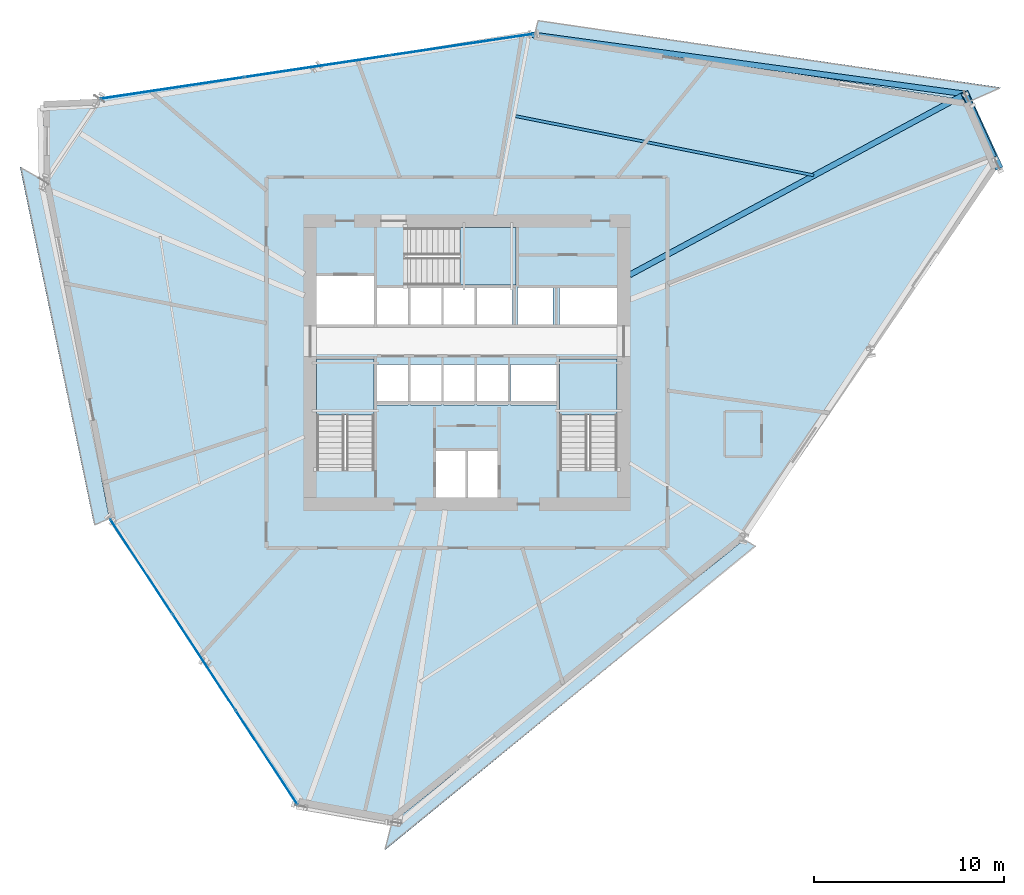
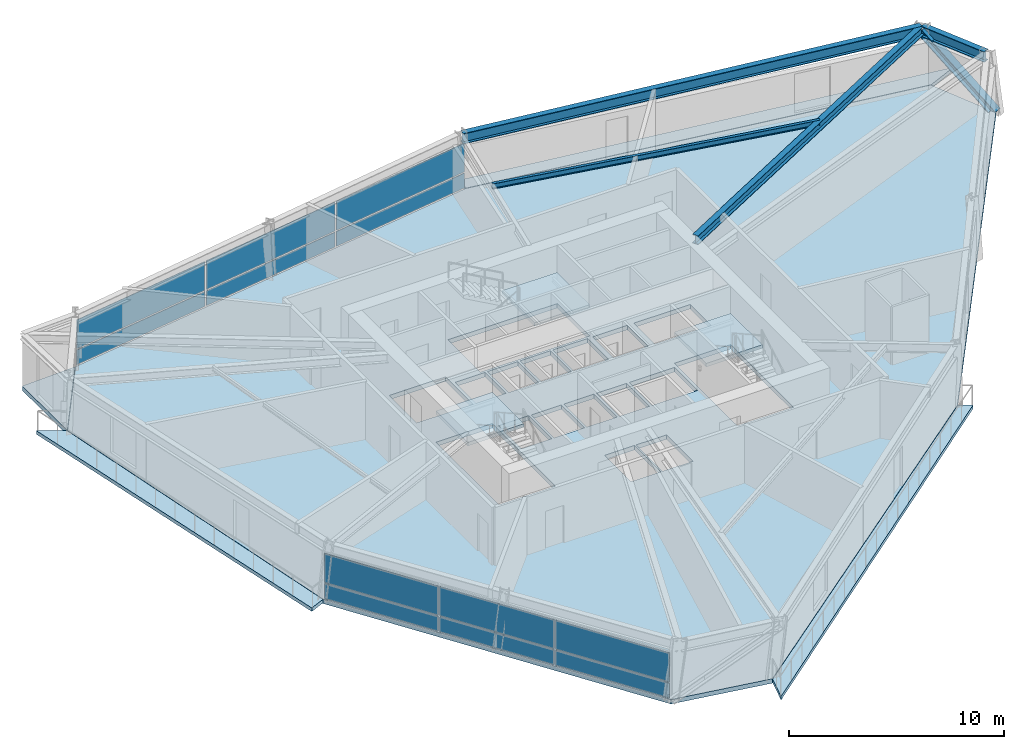
# One storey, part 6 of 14: 12 plates, 8 slabs, 4 beams, 1 member, 5 elements without a shape of their own.
"""IFC4 building model written with IfcOpenShell, lengths in metres."""

from ifc_helpers import new_model, si_unit, direction, frame, origin, origin_2d, place, context, subcontext, project, spatial, polyline, rectangle, i_section, outline, extrude, source, transform, mapped, material, layer, layer_set, material_profile, profile_set, type_object, element, aggregate, save


model = new_model("IFC4")

# Units and contexts
model_context = context("Model", 3, precision=1e-05, world=origin(), true_north=direction((0.0, 1.0)))
body_context = subcontext(model_context, "Body", "Model", "MODEL_VIEW")
ifc_project = project(units=[si_unit("LENGTHUNIT", "METRE"), si_unit("AREAUNIT", "SQUARE_METRE"), si_unit("VOLUMEUNIT", "CUBIC_METRE"), si_unit("PLANEANGLEUNIT", "RADIAN"), si_unit("MASSUNIT", "GRAM", prefix="KILO")], contexts=[model_context])

# Site, building, storey
site_placement = place(None, origin())
site = spatial("IfcSite", under=ifc_project, at=site_placement, CompositionType="ELEMENT")
building_placement = place(site_placement, origin())
building = spatial("IfcBuilding", under=site, at=building_placement, Name="Olszyna Solenne Hotel", CompositionType="ELEMENT")
storey_placement = place(building_placement, frame((0.0, 0.0, 130.550048828125)))
storey = spatial("IfcBuildingStorey", under=building, at=storey_placement, Name="L34", CompositionType="ELEMENT", Elevation=130.550048828125)

# Beams
ifc_material_1 = material(Name="Steel S355J2", Category="steel")
ifc_material_profile_1 = material_profile(ifc_material_1, i_section(OverallWidth=0.300048828125, OverallDepth=0.60009765625, WebThickness=0.015380859375, FlangeThickness=0.030029296875, at=origin_2d()), Name="HEB 600", Category="load-bearing")
ifc_profile_set_1 = profile_set([ifc_material_profile_1], Name="Steel S355J2")
beam_type_1 = type_object("IfcBeamType", Name="BM-S2", PredefinedType="BEAM", material=ifc_profile_set_1)
shared_shape_1 = source(origin(), body_context, "Body", "SweptSolid", [
    extrude(i_section(OverallWidth=0.300048828125, OverallDepth=0.60009765625, WebThickness=0.015380859375, FlangeThickness=0.030029296875, at=origin_2d()), origin(), (0.0, 0.0, 1.0), 3.59228515625),
])
beam_1_placement = place(storey_placement, frame((65.719482421875, 37.40673828125, 3.0), z_axis=(-0.413905354326, 0.9103199205, 0.0), x_axis=(-0.9103199205, -0.413905354326, 0.0)))
element("IfcBeam", 1, at=beam_1_placement, inside=storey, type_object=beam_type_1, Name="Perimeter spandrel beam BM-S2 B-L34-1016", PredefinedType="BEAM", context=body_context, shape_type="MappedRepresentation", body=[
    mapped(shared_shape_1, transform((0.0, 0.0, 0.0), x_axis=(1.0, 0.0, 0.0), y_axis=(0.0, 1.0, 0.0), z_axis=(0.0, 0.0, 1.0), scale=1.0)),
])
shared_shape_2 = source(origin(), body_context, "Body", "SweptSolid", [
    extrude(i_section(OverallWidth=0.300048828125, OverallDepth=0.60009765625, WebThickness=0.015380859375, FlangeThickness=0.030029296875, at=origin_2d()), origin(), (0.0, 0.0, 1.0), 23.01611328125),
])
beam_2_placement = place(storey_placement, frame((64.1484375, 40.739501953125, 3.0), z_axis=(-0.990765830586, 0.135584176596, 0.0), x_axis=(-0.135584176596, -0.990765830586, 0.0)))
element("IfcBeam", 2, at=beam_2_placement, inside=storey, type_object=beam_type_1, Name="Perimeter spandrel beam BM-S2 B-L34-1017", PredefinedType="BEAM", context=body_context, shape_type="MappedRepresentation", body=[
    mapped(shared_shape_2, transform((0.0, 0.0, 0.0), x_axis=(1.0, 0.0, 0.0), y_axis=(0.0, 1.0, 0.0), z_axis=(0.0, 0.0, 1.0), scale=1.0)),
])
ifc_material_profile_2 = material_profile(ifc_material_1, i_section(OverallWidth=0.300048828125, OverallDepth=0.489990234375, WebThickness=0.011962890625, FlangeThickness=0.02294921875, at=origin_2d()), Name="HEA 500", Category="load-bearing")
ifc_profile_set_2 = profile_set([ifc_material_profile_2], Name="Steel S355J2")
beam_type_2 = type_object("IfcBeamType", Name="BM-G1", PredefinedType="BEAM", material=ifc_profile_set_2)
shared_shape_3 = source(origin(), body_context, "Body", "SweptSolid", [
    extrude(i_section(OverallWidth=0.300048828125, OverallDepth=0.489990234375, WebThickness=0.011962890625, FlangeThickness=0.02294921875, at=origin_2d()), origin(), (0.0, 0.0, 1.0), 19.994384765625),
])
beam_3_placement = place(storey_placement, frame((64.155029296875, 40.702880859375, 3.054931640625), z_axis=(-0.880198461065, -0.474605803945, 0.0), x_axis=(0.474605803945, -0.880198461065, 0.0)))
element("IfcBeam", 3, at=beam_3_placement, inside=storey, type_object=beam_type_2, Name="Radial floor girder BM-G1 B-L34-1029", PredefinedType="BEAM", context=body_context, shape_type="MappedRepresentation", body=[
    mapped(shared_shape_3, transform((0.0, 0.0, 0.0), x_axis=(1.0, 0.0, 0.0), y_axis=(0.0, 1.0, 0.0), z_axis=(0.0, 0.0, 1.0), scale=1.0)),
])
ifc_material_profile_3 = material_profile(ifc_material_1, i_section(OverallWidth=0.14990234375, OverallDepth=0.300048828125, WebThickness=0.007080078125, FlangeThickness=0.0107421875, at=origin_2d()), Name="IPE 300", Category="load-bearing")
ifc_profile_set_3 = profile_set([ifc_material_profile_3], Name="Steel S355J2")
beam_type_3 = type_object("IfcBeamType", Name="JS-02", PredefinedType="JOIST", material=ifc_profile_set_3)
shared_shape_4 = source(origin(), body_context, "Body", "SweptSolid", [
    extrude(i_section(OverallWidth=0.14990234375, OverallDepth=0.300048828125, WebThickness=0.007080078125, FlangeThickness=0.0107421875, at=origin_2d()), origin(), (0.0, 0.0, 1.0), 16.0625),
])
beam_4_placement = place(storey_placement, frame((56.244873046875, 36.4521484375, 3.14990234375), z_axis=(-0.980837634997, 0.194826932876, 0.0), x_axis=(-0.194826932876, -0.980837634997, 0.0)))
element("IfcBeam", 4, at=beam_4_placement, inside=storey, type_object=beam_type_3, Name="Secondary composite floor joist JS-02 B-L34-1039", PredefinedType="JOIST", context=body_context, shape_type="MappedRepresentation", body=[
    mapped(shared_shape_4, transform((0.0, 0.0, 0.0), x_axis=(1.0, 0.0, 0.0), y_axis=(0.0, 1.0, 0.0), z_axis=(0.0, 0.0, 1.0), scale=1.0)),
])

# Member
ifc_material_2 = material(Name="Steel S460M", Category="steel")
ifc_material_profile_4 = material_profile(ifc_material_2, i_section(OverallWidth=0.406005859375, OverallDepth=0.416015625, WebThickness=0.026611328125, FlangeThickness=0.04150390625, at=origin_2d()), Name="HD 400x382", Category="load-bearing")
ifc_profile_set_4 = profile_set([ifc_material_profile_4], Name="Steel S460M")
member_type = type_object("IfcMemberType", Name="BR-T2", PredefinedType="BRACE", material=ifc_profile_set_4)
shared_shape_5 = source(origin(), body_context, "Body", "SweptSolid", [
    extrude(i_section(OverallWidth=0.406005859375, OverallDepth=0.416015625, WebThickness=0.026611328125, FlangeThickness=0.04150390625, at=origin_2d()), origin(), (0.0, 0.0, 1.0), 5.136474609375),
])
member_placement = place(storey_placement, frame((65.9580078125, 36.91552734375, 0.010009765625), z_axis=(-0.340743493715, 0.742848383773, 0.576255282159), x_axis=(-0.908939038432, -0.416929040023, 0.0)))
element("IfcMember", 5, at=member_placement, inside=storey, type_object=member_type, Name="Perimeter braced-tube diagonal BR-T2 BR-L34-1", PredefinedType="BRACE", context=body_context, shape_type="MappedRepresentation", body=[
    mapped(shared_shape_5, transform((0.0, 0.0, 0.0), x_axis=(1.0, 0.0, 0.0), y_axis=(0.0, 1.0, 0.0), z_axis=(0.0, 0.0, 1.0), scale=1.0)),
])

# Stair, slab
ifc_material_3 = material(Name="Concrete C40/50", Category="concrete")
stair_type = type_object("IfcStairType", Name="STR-C1", PredefinedType="TWO_QUARTER_WINDING_STAIR", material=ifc_material_3)
stair_1_placement = place(storey_placement, origin())
stair_1 = element("IfcStair", 6, at=stair_1_placement, inside=storey, type_object=stair_type, Name="L34 ST1", PredefinedType="TWO_QUARTER_WINDING_STAIR")
ifc_layer_1 = layer(ifc_material_3, 0.18994140625, Name="Concrete C40/50")
ifc_layer_set_1 = layer_set([ifc_layer_1], Name="Concrete C40/50")
slab_type_1 = type_object("IfcSlabType", Name="SL-LN190", PredefinedType="LANDING", material=ifc_layer_set_1)
slab_1_placement = place(storey_placement, frame((0.0, 0.0, 1.574951171875)))
slab_1 = element("IfcSlab", 7, at=slab_1_placement, type_object=slab_type_1, Name="ST1 landing 1", PredefinedType="LANDING", context=body_context, shape_type="SweptSolid", body=[
    extrude(outline(polyline([(33.1201171875, 23.85009765625), (33.1201171875, 26.800048828125), (30.10009765625, 26.800048828125), (30.10009765625, 23.85009765625), (33.1201171875, 23.85009765625)])), origin(), (0.0, 0.0, 1.0), 0.199951171875),
])
aggregate(stair_1, [slab_1])

stair_2_placement = place(storey_placement, origin())
stair_2 = element("IfcStair", 8, at=stair_2_placement, inside=storey, type_object=stair_type, Name="L34 ST2", PredefinedType="TWO_QUARTER_WINDING_STAIR")
slab_2_placement = place(storey_placement, frame((0.0, 0.0, 1.574951171875)))
slab_2 = element("IfcSlab", 9, at=slab_2_placement, type_object=slab_type_1, Name="ST2 landing 1", PredefinedType="LANDING", context=body_context, shape_type="SweptSolid", body=[
    extrude(outline(polyline([(45.89990234375, 23.85009765625), (45.89990234375, 26.800048828125), (42.8798828125, 26.800048828125), (42.8798828125, 23.85009765625), (45.89990234375, 23.85009765625)])), origin(), (0.0, 0.0, 1.0), 0.199951171875),
])
aggregate(stair_2, [slab_2])

stair_3_placement = place(storey_placement, origin())
stair_3 = element("IfcStair", 10, at=stair_3_placement, inside=storey, type_object=stair_type, Name="L34 ST3", PredefinedType="TWO_QUARTER_WINDING_STAIR")
slab_3_placement = place(storey_placement, frame((0.0, 0.0, 1.574951171875)))
slab_3 = element("IfcSlab", 11, at=slab_3_placement, type_object=slab_type_1, Name="ST3 landing 1", PredefinedType="LANDING", context=body_context, shape_type="SweptSolid", body=[
    extrude(outline(polyline([(37.6298828125, 30.679931640625), (40.580078125, 30.679931640625), (40.580078125, 33.699951171875), (37.6298828125, 33.699951171875), (37.6298828125, 30.679931640625)])), origin(), (0.0, 0.0, 1.0), 0.199951171875),
])
aggregate(stair_3, [slab_3])

# Slabs
ifc_material_4 = material(Name="Precast concrete C45/55", Category="concrete")
ifc_layer_2 = layer(ifc_material_4, 0.199951171875, Name="Precast concrete C45/55")
ifc_layer_set_2 = layer_set([ifc_layer_2], Name="Precast concrete C45/55")
slab_type_2 = type_object("IfcSlabType", Name="SL-LOG200", PredefinedType="FLOOR", material=ifc_layer_set_2)
slab_4_placement = place(storey_placement, frame((0.0, 0.0, -0.199951171875)))
element("IfcSlab", 12, at=slab_4_placement, inside=storey, type_object=slab_type_2, Name="Exterior loggia balcony slab SL-L34-LG1", PredefinedType="FLOOR", context=body_context, shape_type="SweptSolid", body=[
    extrude(outline(polyline([(41.569580078125, 43.915283203125), (64.461669921875, 40.368408203125), (64.463134765625, 40.367919921875), (64.464599609375, 40.36767578125), (64.4658203125, 40.366943359375), (64.46728515625, 40.3662109375), (64.468505859375, 40.365478515625), (64.469482421875, 40.364501953125), (64.470703125, 40.36328125), (64.4716796875, 40.362060546875), (64.472412109375, 40.36083984375), (64.472900390625, 40.359619140625), (66.08837890625, 41.07275390625), (41.751953125, 44.623779296875), (41.569580078125, 43.915283203125)])), origin(), (0.0, 0.0, 1.0), 0.199951171875),
])
slab_5_placement = place(storey_placement, frame((0.0, 0.0, -0.199951171875)))
element("IfcSlab", 13, at=slab_5_placement, inside=storey, type_object=slab_type_2, Name="Exterior loggia balcony slab SL-L34-LG2", PredefinedType="FLOOR", context=body_context, shape_type="SweptSolid", body=[
    extrude(outline(polyline([(19.192626953125, 18.40771484375), (19.1923828125, 18.408203125), (19.19189453125, 18.409423828125), (19.191650390625, 18.410888671875), (15.7333984375, 36.158203125), (15.733154296875, 36.15966796875), (15.73291015625, 36.1611328125), (15.73291015625, 36.169921875), (14.4912109375, 36.887939453125), (18.391845703125, 18.05419921875), (19.192626953125, 18.40771484375)])), origin(), (0.0, 0.0, 1.0), 0.199951171875),
])
slab_6_placement = place(storey_placement, frame((0.0, 0.0, -0.199951171875)))
element("IfcSlab", 14, at=slab_6_placement, inside=storey, type_object=slab_type_2, Name="Exterior loggia balcony slab SL-L34-LG3", PredefinedType="FLOOR", context=body_context, shape_type="SweptSolid", body=[
    extrude(outline(polyline([(52.580322265625, 17.283203125), (52.579833984375, 17.281982421875), (52.578857421875, 17.281005859375), (52.577880859375, 17.27978515625), (52.576904296875, 17.27880859375), (34.062744140625, 2.390380859375), (34.0615234375, 2.389404296875), (34.060302734375, 2.388671875), (34.05908203125, 2.38818359375), (34.057861328125, 2.3876953125), (34.056396484375, 2.38720703125), (34.054931640625, 2.38720703125), (34.0537109375, 2.386962890625), (34.052001953125, 2.38720703125), (34.05078125, 2.38720703125), (34.049560546875, 2.387451171875), (33.680908203125, 0.9560546875), (53.19580078125, 16.92724609375), (52.580322265625, 17.283203125)])), origin(), (0.0, 0.0, 1.0), 0.199951171875),
])
ifc_material_5 = material(Name="Concrete C50/60", Category="concrete")
ifc_layer_3 = layer(ifc_material_5, 0.25, Name="Concrete C50/60")
ifc_layer_set_3 = layer_set([ifc_layer_3], Name="Concrete C50/60")
slab_type_3 = type_object("IfcSlabType", Name="SL-TW250", PredefinedType="FLOOR", material=ifc_layer_set_3)
slab_7_placement = place(storey_placement, frame((0.0, 0.0, -0.25)))
element("IfcSlab", 15, at=slab_7_placement, inside=storey, type_object=slab_type_3, Name="Floor slab SL-TW250 SL-L34-01", PredefinedType="FLOOR", context=body_context, shape_type="SweptSolid", body=[
    extrude(outline(polyline([(65.9580078125, 36.91552734375), (64.459228515625, 40.353515625), (41.56591796875, 43.900634765625), (18.654296875, 40.470703125), (15.748046875, 36.1611328125), (19.206298828125, 18.413818359375), (29.126953125, 3.297119140625), (34.053466796875, 2.402099609375), (52.5673828125, 17.29052734375), (65.9580078125, 36.91552734375)]), holes=[polyline([(30.10009765625, 20.949951171875), (33.1201171875, 20.949951171875), (33.1201171875, 26.800048828125), (30.10009765625, 26.800048828125), (30.10009765625, 20.949951171875)]), polyline([(42.8798828125, 20.949951171875), (45.89990234375, 20.949951171875), (45.89990234375, 26.800048828125), (42.8798828125, 26.800048828125), (42.8798828125, 20.949951171875)]), polyline([(34.72998046875, 30.679931640625), (40.580078125, 30.679931640625), (40.580078125, 33.699951171875), (34.72998046875, 33.699951171875), (34.72998046875, 30.679931640625)]), polyline([(36.340087890625, 19.5), (37.9599609375, 19.5), (37.9599609375, 21.9599609375), (36.340087890625, 21.9599609375), (36.340087890625, 19.5)]), polyline([(38.0400390625, 19.5), (39.659912109375, 19.5), (39.659912109375, 21.9599609375), (38.0400390625, 21.9599609375), (38.0400390625, 19.5)]), polyline([(30.10009765625, 28.60009765625), (33.1201171875, 28.60009765625), (33.1201171875, 31.159912109375), (30.10009765625, 31.159912109375), (30.10009765625, 28.60009765625)]), polyline([(33.280029296875, 24.360107421875), (34.89990234375, 24.360107421875), (34.89990234375, 26.5), (33.280029296875, 26.5), (33.280029296875, 24.360107421875)]), polyline([(35.030029296875, 24.360107421875), (36.64990234375, 24.360107421875), (36.64990234375, 26.5), (35.030029296875, 26.5), (35.030029296875, 24.360107421875)]), polyline([(36.780029296875, 24.360107421875), (38.39990234375, 24.360107421875), (38.39990234375, 26.5), (36.780029296875, 26.5), (36.780029296875, 24.360107421875)]), polyline([(38.530029296875, 24.360107421875), (40.14990234375, 24.360107421875), (40.14990234375, 26.5), (38.530029296875, 26.5), (38.530029296875, 24.360107421875)]), polyline([(40.280029296875, 24.360107421875), (42.719970703125, 24.360107421875), (42.719970703125, 26.5), (40.280029296875, 26.5), (40.280029296875, 24.360107421875)]), polyline([(33.280029296875, 28.60009765625), (34.89990234375, 28.60009765625), (34.89990234375, 30.550048828125), (33.280029296875, 30.550048828125), (33.280029296875, 28.60009765625)]), polyline([(35.030029296875, 28.60009765625), (36.64990234375, 28.60009765625), (36.64990234375, 30.550048828125), (35.030029296875, 30.550048828125), (35.030029296875, 28.60009765625)]), polyline([(36.780029296875, 28.60009765625), (38.39990234375, 28.60009765625), (38.39990234375, 30.550048828125), (36.780029296875, 30.550048828125), (36.780029296875, 28.60009765625)]), polyline([(38.530029296875, 28.60009765625), (40.389892578125, 28.60009765625), (40.389892578125, 30.550048828125), (38.530029296875, 30.550048828125), (38.530029296875, 28.60009765625)]), polyline([(40.659912109375, 28.60009765625), (42.52001953125, 28.60009765625), (42.52001953125, 30.550048828125), (40.659912109375, 30.550048828125), (40.659912109375, 28.60009765625)]), polyline([(42.8798828125, 28.60009765625), (45.89990234375, 28.60009765625), (45.89990234375, 30.550048828125), (42.8798828125, 30.550048828125), (42.8798828125, 28.60009765625)])]), origin(), (0.0, 0.0, 1.0), 0.25),
])
slab_8_placement = place(storey_placement, frame((0.0, 0.0, -0.25)))
element("IfcSlab", 16, at=slab_8_placement, inside=storey, type_object=slab_type_3, Name="Faceted glass-prism floor slab SL-L34-PR", PredefinedType="FLOOR", context=body_context, shape_type="SweptSolid", body=[
    extrude(outline(polyline([(15.748046875, 36.178955078125), (18.64208984375, 40.47021484375), (15.737060546875, 40.347900390625), (15.748046875, 36.178955078125)])), origin(), (0.0, 0.0, 1.0), 0.25),
])

# Curtain wall, plates
ifc_material_6 = material(Name="Anodised bronze aluminium", Category="aluminium")
curtain_wall_type = type_object("IfcCurtainWallType", Name="CW-SYS-3", PredefinedType="NOTDEFINED", material=ifc_material_6)
curtain_wall_1_placement = place(storey_placement, origin())
curtain_wall_1 = element("IfcCurtainWall", 17, at=curtain_wall_1_placement, inside=storey, type_object=curtain_wall_type, Name="Unitised curtain wall CW-SYS-3 CW-L34-01", PredefinedType="NOTDEFINED")
ifc_material_7 = material(Name="Terracotta cladding", Category="masonry")
plate_type_1 = type_object("IfcPlateType", Name="PN-SP1", PredefinedType="CURTAIN_PANEL", material=ifc_material_7)
shared_shape_6 = source(origin(), body_context, "Body", "SweptSolid", [
    extrude(rectangle(XDim=5.91455078125, YDim=0.035888671875, at=origin_2d()), origin(), (0.0, 0.0, 1.0), 0.83740234375),
])
plate_1_placement = place(storey_placement, frame((20.8701171875, 15.878662109375, 0.074951171875), z_axis=(0.0, 0.0, 1.0), x_axis=(0.548669246756, -0.836039507239, 0.0)))
plate_1 = element("IfcPlate", 18, at=plate_1_placement, type_object=plate_type_1, Name="Curtain-wall panel PN-SP1 CP-L34-01-01", PredefinedType="CURTAIN_PANEL", context=body_context, shape_type="MappedRepresentation", body=[
    mapped(shared_shape_6, transform((0.0, 0.0, 0.0), x_axis=(1.0, 0.0, 0.0), y_axis=(0.0, 1.0, 0.0), z_axis=(0.0, 0.0, 1.0), scale=1.0)),
])
plate_2_placement = place(storey_placement, frame((27.46337890625, 5.832275390625, 0.074951171875), z_axis=(0.0, 0.0, 1.0), x_axis=(0.548669246756, -0.836039507239, 0.0)))
plate_2 = element("IfcPlate", 19, at=plate_2_placement, type_object=plate_type_1, Name="Curtain-wall panel PN-SP1 CP-L34-01-05", PredefinedType="CURTAIN_PANEL", context=body_context, shape_type="MappedRepresentation", body=[
    mapped(shared_shape_6, transform((0.0, 0.0, 0.0), x_axis=(1.0, 0.0, 0.0), y_axis=(0.0, 1.0, 0.0), z_axis=(0.0, 0.0, 1.0), scale=1.0)),
])
ifc_material_8 = material(Name="Low-E triple glazing", Category="glass")
plate_type_2 = type_object("IfcPlateType", Name="PN-GL1", PredefinedType="CURTAIN_PANEL", material=ifc_material_8)
shared_shape_7 = source(origin(), body_context, "Body", "SweptSolid", [
    extrude(rectangle(XDim=5.91455078125, YDim=0.035888671875, at=origin_2d()), origin(), (0.0, 0.0, 1.0), 1.62939453125),
])
plate_3_placement = place(storey_placement, frame((20.8701171875, 15.878662109375, 0.987548828125), z_axis=(0.0, 0.0, 1.0), x_axis=(0.548669246756, -0.836039507239, 0.0)))
plate_3 = element("IfcPlate", 20, at=plate_3_placement, type_object=plate_type_2, Name="Curtain-wall panel PN-GL1 CP-L34-01-02", PredefinedType="CURTAIN_PANEL", context=body_context, shape_type="MappedRepresentation", body=[
    mapped(shared_shape_7, transform((0.0, 0.0, 0.0), x_axis=(1.0, 0.0, 0.0), y_axis=(0.0, 1.0, 0.0), z_axis=(0.0, 0.0, 1.0), scale=1.0)),
])
plate_4_placement = place(storey_placement, frame((27.46337890625, 5.832275390625, 0.987548828125), z_axis=(0.0, 0.0, 1.0), x_axis=(0.548669246756, -0.836039507239, 0.0)))
plate_4 = element("IfcPlate", 21, at=plate_4_placement, type_object=plate_type_2, Name="Curtain-wall panel PN-GL1 CP-L34-01-06", PredefinedType="CURTAIN_PANEL", context=body_context, shape_type="MappedRepresentation", body=[
    mapped(shared_shape_7, transform((0.0, 0.0, 0.0), x_axis=(1.0, 0.0, 0.0), y_axis=(0.0, 1.0, 0.0), z_axis=(0.0, 0.0, 1.0), scale=1.0)),
])
shared_shape_8 = source(origin(), body_context, "Body", "SweptSolid", [
    extrude(rectangle(XDim=5.9521484375, YDim=0.035888671875, at=origin_2d()), origin(), (0.0, 0.0, 1.0), 0.83740234375),
])
plate_5_placement = place(storey_placement, frame((24.166748046875, 10.85546875, 0.074951171875), z_axis=(0.0, 0.0, 1.0), x_axis=(0.548669246756, -0.836039507239, 0.0)))
plate_5 = element("IfcPlate", 22, at=plate_5_placement, type_object=plate_type_1, Name="Curtain-wall panel PN-SP1 CP-L34-01-03", PredefinedType="CURTAIN_PANEL", context=body_context, shape_type="MappedRepresentation", body=[
    mapped(shared_shape_8, transform((0.0, 0.0, 0.0), x_axis=(1.0, 0.0, 0.0), y_axis=(0.0, 1.0, 0.0), z_axis=(0.0, 0.0, 1.0), scale=1.0)),
])
shared_shape_9 = source(origin(), body_context, "Body", "SweptSolid", [
    extrude(rectangle(XDim=5.9521484375, YDim=0.035888671875, at=origin_2d()), origin(), (0.0, 0.0, 1.0), 1.62939453125),
])
plate_6_placement = place(storey_placement, frame((24.166748046875, 10.85546875, 0.987548828125), z_axis=(0.0, 0.0, 1.0), x_axis=(0.548669246756, -0.836039507239, 0.0)))
plate_6 = element("IfcPlate", 23, at=plate_6_placement, type_object=plate_type_2, Name="Curtain-wall panel PN-GL1 CP-L34-01-04", PredefinedType="CURTAIN_PANEL", context=body_context, shape_type="MappedRepresentation", body=[
    mapped(shared_shape_9, transform((0.0, 0.0, 0.0), x_axis=(1.0, 0.0, 0.0), y_axis=(0.0, 1.0, 0.0), z_axis=(0.0, 0.0, 1.0), scale=1.0)),
])
aggregate(curtain_wall_1, [plate_1, plate_3, plate_5, plate_6, plate_2, plate_4])

curtain_wall_2_placement = place(storey_placement, origin())
curtain_wall_2 = element("IfcCurtainWall", 24, at=curtain_wall_2_placement, inside=storey, type_object=curtain_wall_type, Name="Unitised curtain wall CW-SYS-3 CW-L34-02", PredefinedType="NOTDEFINED")
shared_shape_10 = source(origin(), body_context, "Body", "SweptSolid", [
    extrude(rectangle(XDim=7.60986328125, YDim=0.035888671875, at=origin_2d()), origin(), (0.0, 0.0, 1.0), 0.83740234375),
])
plate_7_placement = place(storey_placement, frame((22.491455078125, 41.045166015625, 0.074951171875), z_axis=(0.0, 0.0, 1.0), x_axis=(0.988978170152, 0.148061402675, 0.0)))
plate_7 = element("IfcPlate", 25, at=plate_7_placement, type_object=plate_type_1, Name="Curtain-wall panel PN-SP1 CP-L34-02-01", PredefinedType="CURTAIN_PANEL", context=body_context, shape_type="MappedRepresentation", body=[
    mapped(shared_shape_10, transform((0.0, 0.0, 0.0), x_axis=(1.0, 0.0, 0.0), y_axis=(0.0, 1.0, 0.0), z_axis=(0.0, 0.0, 1.0), scale=1.0)),
])
plate_8_placement = place(storey_placement, frame((37.728759765625, 43.326171875, 0.074951171875), z_axis=(0.0, 0.0, 1.0), x_axis=(0.988978170152, 0.148061402675, 0.0)))
plate_8 = element("IfcPlate", 26, at=plate_8_placement, type_object=plate_type_1, Name="Curtain-wall panel PN-SP1 CP-L34-02-05", PredefinedType="CURTAIN_PANEL", context=body_context, shape_type="MappedRepresentation", body=[
    mapped(shared_shape_10, transform((0.0, 0.0, 0.0), x_axis=(1.0, 0.0, 0.0), y_axis=(0.0, 1.0, 0.0), z_axis=(0.0, 0.0, 1.0), scale=1.0)),
])
shared_shape_11 = source(origin(), body_context, "Body", "SweptSolid", [
    extrude(rectangle(XDim=7.60986328125, YDim=0.035888671875, at=origin_2d()), origin(), (0.0, 0.0, 1.0), 1.62939453125),
])
plate_9_placement = place(storey_placement, frame((22.491455078125, 41.045166015625, 0.987548828125), z_axis=(0.0, 0.0, 1.0), x_axis=(0.988978170152, 0.148061402675, 0.0)))
plate_9 = element("IfcPlate", 27, at=plate_9_placement, type_object=plate_type_2, Name="Curtain-wall panel PN-GL1 CP-L34-02-02", PredefinedType="CURTAIN_PANEL", context=body_context, shape_type="MappedRepresentation", body=[
    mapped(shared_shape_11, transform((0.0, 0.0, 0.0), x_axis=(1.0, 0.0, 0.0), y_axis=(0.0, 1.0, 0.0), z_axis=(0.0, 0.0, 1.0), scale=1.0)),
])
plate_10_placement = place(storey_placement, frame((37.728759765625, 43.326171875, 0.987548828125), z_axis=(0.0, 0.0, 1.0), x_axis=(0.988978170152, 0.148061402675, 0.0)))
plate_10 = element("IfcPlate", 28, at=plate_10_placement, type_object=plate_type_2, Name="Curtain-wall panel PN-GL1 CP-L34-02-06", PredefinedType="CURTAIN_PANEL", context=body_context, shape_type="MappedRepresentation", body=[
    mapped(shared_shape_11, transform((0.0, 0.0, 0.0), x_axis=(1.0, 0.0, 0.0), y_axis=(0.0, 1.0, 0.0), z_axis=(0.0, 0.0, 1.0), scale=1.0)),
])
shared_shape_12 = source(origin(), body_context, "Body", "SweptSolid", [
    extrude(rectangle(XDim=7.647216796875, YDim=0.035888671875, at=origin_2d()), origin(), (0.0, 0.0, 1.0), 0.83740234375),
])
plate_11_placement = place(storey_placement, frame((30.110107421875, 42.185546875, 0.074951171875), z_axis=(0.0, 0.0, 1.0), x_axis=(0.988978170152, 0.148061402675, 0.0)))
plate_11 = element("IfcPlate", 29, at=plate_11_placement, type_object=plate_type_1, Name="Curtain-wall panel PN-SP1 CP-L34-02-03", PredefinedType="CURTAIN_PANEL", context=body_context, shape_type="MappedRepresentation", body=[
    mapped(shared_shape_12, transform((0.0, 0.0, 0.0), x_axis=(1.0, 0.0, 0.0), y_axis=(0.0, 1.0, 0.0), z_axis=(0.0, 0.0, 1.0), scale=1.0)),
])
shared_shape_13 = source(origin(), body_context, "Body", "SweptSolid", [
    extrude(rectangle(XDim=7.647216796875, YDim=0.035888671875, at=origin_2d()), origin(), (0.0, 0.0, 1.0), 1.62939453125),
])
plate_12_placement = place(storey_placement, frame((30.110107421875, 42.185546875, 0.987548828125), z_axis=(0.0, 0.0, 1.0), x_axis=(0.988978170152, 0.148061402675, 0.0)))
plate_12 = element("IfcPlate", 30, at=plate_12_placement, type_object=plate_type_2, Name="Curtain-wall panel PN-GL1 CP-L34-02-04", PredefinedType="CURTAIN_PANEL", context=body_context, shape_type="MappedRepresentation", body=[
    mapped(shared_shape_13, transform((0.0, 0.0, 0.0), x_axis=(1.0, 0.0, 0.0), y_axis=(0.0, 1.0, 0.0), z_axis=(0.0, 0.0, 1.0), scale=1.0)),
])
aggregate(curtain_wall_2, [plate_7, plate_9, plate_11, plate_12, plate_8, plate_10])

save(model, "model.ifc")
